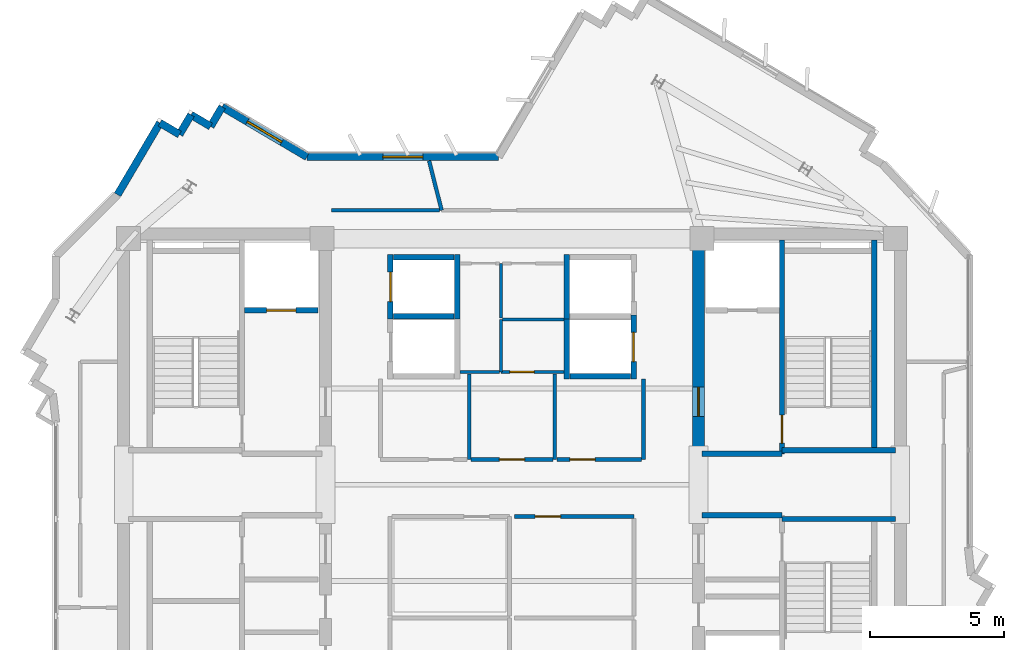
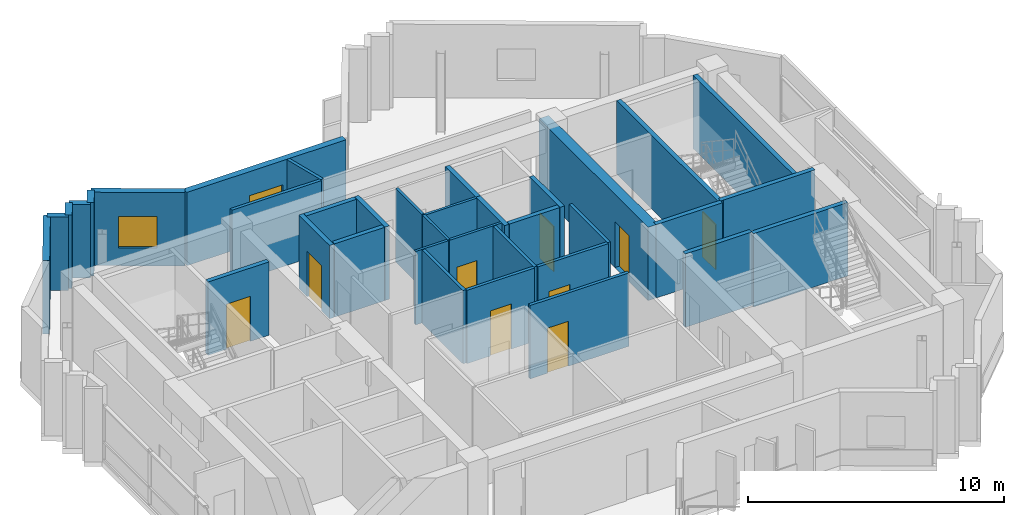
# One storey, part 6 of 10: 36 walls, 9 doors, 2 windows, 11 openings.
"""IFC4 building model written with IfcOpenShell, lengths in metres."""

from ifc_helpers import new_model, si_unit, direction, frame, frame_2d, origin, place, context, subcontext, project, spatial, rectangle, extrude, source, transform, mapped, material, layer, layer_set, type_object, element, fill, save


model = new_model("IFC4")

# Units and contexts
model_context = context("Model", 3, precision=1e-05, world=origin(), true_north=direction((0.0, 1.0)))
body_context = subcontext(model_context, "Body", "Model", "MODEL_VIEW")
ifc_project = project(units=[si_unit("LENGTHUNIT", "METRE"), si_unit("AREAUNIT", "SQUARE_METRE"), si_unit("VOLUMEUNIT", "CUBIC_METRE"), si_unit("PLANEANGLEUNIT", "RADIAN"), si_unit("MASSUNIT", "GRAM", prefix="KILO")], contexts=[model_context])

# Site, building, storey
site_placement = place(None, origin())
site = spatial("IfcSite", under=ifc_project, at=site_placement, CompositionType="ELEMENT")
building_placement = place(site_placement, origin())
building = spatial("IfcBuilding", under=site, at=building_placement, Name="Zahravan Cultural Tower", CompositionType="ELEMENT")
storey_placement = place(building_placement, frame((0.0, 0.0, 349.800048828125)))
storey = spatial("IfcBuildingStorey", under=building, at=storey_placement, Name="L85", CompositionType="ELEMENT", Elevation=349.800048828125)

# Wall, opening, door
ifc_material_1 = material(Name="Concrete C50/60", Category="concrete")
ifc_layer_1 = layer(ifc_material_1, 0.449951171875)
ifc_layer_set_1 = layer_set([ifc_layer_1], Name="Concrete C50/60")
wall_type_1 = type_object("IfcWallType", Name="CW-SHEAR-450-C50", PredefinedType="SHEAR", material=ifc_layer_set_1)
wall_1_placement = place(storey_placement, frame((42.97509765625, 28.050048828125, 0.0), z_axis=(0.0, 0.0, 1.0), x_axis=(0.0, 1.0, 0.0)))
wall_1 = element("IfcWall", 1, at=wall_1_placement, inside=storey, type_object=wall_type_1, Name="L85 Core Shear Wall CW-E-WN-L85", PredefinedType="SHEAR", context=body_context, shape_type="SweptSolid", body=[
    extrude(rectangle(XDim=8.550048828125, YDim=0.449951171875, at=frame_2d((4.27490234375, 0.0))), origin(), (0.0, 0.0, 1.0), 3.5),
])
opening_1_placement = place(wall_1_placement, frame((1.5, 0.0, 0.0)))
opening_1 = element("IfcOpeningElement", 2, at=opening_1_placement, cuts=wall_1, Name="Opening D-L85-07", PredefinedType="OPENING", context=body_context, shape_type="SweptSolid", body=[
    extrude(rectangle(XDim=1.10009765625, YDim=2.199951171875, at=frame_2d((0.550048828125, 1.10009765625))), frame((0.0, 0.23486328125, 0.0), z_axis=(0.0, -1.0, 0.0), x_axis=(1.0, 0.0, 0.0)), (0.0, 0.0, 1.0), 0.469970703125),
])
ifc_material_2 = material(Name="Steel ASTM A572 Grade 50", Category="steel")
door_type_1 = type_object("IfcDoorType", Name="DR-LOBBY-1100", OperationType="NOTDEFINED", PredefinedType="DOOR", material=ifc_material_2)
shared_shape_1 = source(origin(), body_context, "Body", "SweptSolid", [
    extrude(rectangle(XDim=1.10009765625, YDim=2.199951171875, at=frame_2d((0.550048828125, 1.10009765625))), frame((0.0, 0.02490234375, 0.0), z_axis=(0.0, -1.0, 0.0), x_axis=(1.0, 0.0, 0.0)), (0.0, 0.0, 1.0), 0.050048828125),
])
door_1_placement = place(opening_1_placement, origin())
door_1 = element("IfcDoor", 3, at=door_1_placement, inside=storey, type_object=door_type_1, Name="L85 Door D-L85-07", OperationType="SINGLE_SWING_RIGHT", OverallHeight=2.199951171875, OverallWidth=1.10009765625, PredefinedType="DOOR", context=body_context, shape_type="MappedRepresentation", body=[
    mapped(shared_shape_1, transform((0.0, 0.0, 0.0), x_axis=(1.0, 0.0, 0.0), y_axis=(0.0, 1.0, 0.0), z_axis=(0.0, 0.0, 1.0), scale=1.0)),
])
fill(opening_1, door_1)

# Wall, opening, window
ifc_material_3 = material(Name="Precast concrete C40/50", Category="concrete")
ifc_layer_2 = layer(ifc_material_3, 0.280029296875)
ifc_layer_set_2 = layer_set([ifc_layer_2], Name="Precast concrete C40/50")
wall_type_2 = type_object("IfcWallType", Name="EW-TC-280", PredefinedType="SOLIDWALL", material=ifc_layer_set_2)
wall_2_placement = place(storey_placement, frame((25.158447265625, 41.132568359375, 0.0), z_axis=(0.0, 0.0, 1.0), x_axis=(0.861166561994, -0.508322882137, 0.0)))
wall_2 = element("IfcWall", 4, at=wall_2_placement, inside=storey, type_object=wall_type_2, Name="L85 Exterior Masonry Frame Wall 45", PredefinedType="SOLIDWALL", context=body_context, shape_type="SweptSolid", body=[
    extrude(rectangle(XDim=3.683837890625, YDim=0.280029296875, at=frame_2d((1.841796875, 0.0))), origin(), (0.0, 0.0, 1.0), 3.5),
])
opening_2_placement = place(wall_2_placement, frame((1.092041015625, 0.0, 0.85009765625)))
opening_2 = element("IfcOpeningElement", 5, at=opening_2_placement, cuts=wall_2, Name="Opening WN-03", PredefinedType="OPENING", context=body_context, shape_type="SweptSolid", body=[
    extrude(rectangle(XDim=1.5, YDim=1.5, at=frame_2d((0.75, 0.75))), frame((0.0, 0.14990234375, 0.0), z_axis=(0.0, -1.0, 0.0), x_axis=(1.0, 0.0, 0.0)), (0.0, 0.0, 1.0), 0.300048828125),
])
ifc_material_4 = material(Name="Low-E solar-control double glazing", Category="glass")
window_type = type_object("IfcWindowType", Name="WN-REC-1500X1500", PartitioningType="SINGLE_PANEL", PredefinedType="WINDOW", material=ifc_material_4)
shared_shape_2 = source(origin(), body_context, "Body", "SweptSolid", [
    extrude(rectangle(XDim=1.5, YDim=1.5, at=frame_2d((0.75, 0.75))), frame((0.0, 0.030029296875, 0.0), z_axis=(0.0, -1.0, 0.0), x_axis=(1.0, 0.0, 0.0)), (0.0, 0.0, 1.0), 0.06005859375),
])
window_1_placement = place(opening_2_placement, origin())
window_1 = element("IfcWindow", 6, at=window_1_placement, inside=storey, type_object=window_type, Name="L85 Recessed Solar Window 07", OverallHeight=1.5, OverallWidth=1.5, PartitioningType="SINGLE_PANEL", PredefinedType="WINDOW", context=body_context, shape_type="MappedRepresentation", body=[
    mapped(shared_shape_2, transform((0.0, 0.0, 0.0), x_axis=(1.0, 0.0, 0.0), y_axis=(0.0, 1.0, 0.0), z_axis=(0.0, 0.0, 1.0), scale=1.0)),
])
fill(opening_2, window_1)

wall_3_placement = place(storey_placement, frame((28.330810546875, 39.260009765625, 0.0), z_axis=(0.0, 0.0, 1.0), x_axis=(1.0, 0.0, 0.0)))
wall_3 = element("IfcWall", 7, at=wall_3_placement, inside=storey, type_object=wall_type_2, Name="L85 Exterior Masonry Frame Wall 46", PredefinedType="SOLIDWALL", context=body_context, shape_type="SweptSolid", body=[
    extrude(rectangle(XDim=7.171875, YDim=0.280029296875, at=frame_2d((3.5859375, 0.0))), origin(), (0.0, 0.0, 1.0), 3.5),
])
opening_3_placement = place(wall_3_placement, frame((2.8359375, 0.0, 0.85009765625)))
opening_3 = element("IfcOpeningElement", 8, at=opening_3_placement, cuts=wall_3, Name="Opening WN-03", PredefinedType="OPENING", context=body_context, shape_type="SweptSolid", body=[
    extrude(rectangle(XDim=1.5, YDim=1.5, at=frame_2d((0.75, 0.75))), frame((0.0, 0.14990234375, 0.0), z_axis=(0.0, -1.0, 0.0), x_axis=(1.0, 0.0, 0.0)), (0.0, 0.0, 1.0), 0.300048828125),
])
window_2_placement = place(opening_3_placement, origin())
window_2 = element("IfcWindow", 9, at=window_2_placement, inside=storey, type_object=window_type, Name="L85 Recessed Solar Window 08", OverallHeight=1.5, OverallWidth=1.5, PartitioningType="SINGLE_PANEL", PredefinedType="WINDOW", context=body_context, shape_type="MappedRepresentation", body=[
    mapped(shared_shape_2, transform((0.0, 0.0, 0.0), x_axis=(1.0, 0.0, 0.0), y_axis=(0.0, 1.0, 0.0), z_axis=(0.0, 0.0, 1.0), scale=1.0)),
])
fill(opening_3, window_2)

# Wall, opening, door
ifc_material_5 = material(Name="Gypsum plasterboard partition")
ifc_layer_3 = layer(ifc_material_5, 0.139892578125)
ifc_layer_set_3 = layer_set([ifc_layer_3], Name="Gypsum plasterboard partition")
wall_type_3 = type_object("IfcWallType", Name="W-PART-140", PredefinedType="PARTITIONING", material=ifc_layer_set_3)
wall_4_placement = place(storey_placement, frame((37.52490234375, 27.93994140625, 0.0), z_axis=(0.0, 0.0, 1.0), x_axis=(-1.0, 0.0, 0.0)))
wall_4 = element("IfcWall", 10, at=wall_4_placement, inside=storey, type_object=wall_type_3, Name="L85 Interior Wall 053", PredefinedType="PARTITIONING", context=body_context, shape_type="SweptSolid", body=[
    extrude(rectangle(XDim=3.0498046875, YDim=0.139892578125, at=frame_2d((1.52490234375, 0.0))), origin(), (0.0, 0.0, 1.0), 3.5),
])
opening_4_placement = place(wall_4_placement, frame((1.050048828125, 0.0, 0.0)))
opening_4 = element("IfcOpeningElement", 11, at=opening_4_placement, cuts=wall_4, Name="Opening D-L85-21", PredefinedType="OPENING", context=body_context, shape_type="SweptSolid", body=[
    extrude(rectangle(XDim=0.949951171875, YDim=2.14990234375, at=frame_2d((0.47509765625, 1.074951171875))), frame((0.0, 0.079833984375, 0.0), z_axis=(0.0, -1.0, 0.0), x_axis=(1.0, 0.0, 0.0)), (0.0, 0.0, 1.0), 0.159912109375),
])
ifc_material_6 = material(Name="Anodised bronze-aluminium mullion", Category="aluminium")
door_type_2 = type_object("IfcDoorType", Name="DR-ROOM-950", OperationType="NOTDEFINED", PredefinedType="DOOR", material=ifc_material_6)
shared_shape_3 = source(origin(), body_context, "Body", "SweptSolid", [
    extrude(rectangle(XDim=0.949951171875, YDim=2.14990234375, at=frame_2d((0.47509765625, 1.074951171875))), frame((0.0, 0.02490234375, 0.0), z_axis=(0.0, -1.0, 0.0), x_axis=(1.0, 0.0, 0.0)), (0.0, 0.0, 1.0), 0.050048828125),
])
door_2_placement = place(opening_4_placement, origin())
door_2 = element("IfcDoor", 12, at=door_2_placement, inside=storey, type_object=door_type_2, Name="L85 Door D-L85-21", OperationType="SINGLE_SWING_RIGHT", OverallHeight=2.14990234375, OverallWidth=0.949951171875, PredefinedType="DOOR", context=body_context, shape_type="MappedRepresentation", body=[
    mapped(shared_shape_3, transform((0.0, 0.0, 0.0), x_axis=(1.0, 0.0, 0.0), y_axis=(0.0, 1.0, 0.0), z_axis=(0.0, 0.0, 1.0), scale=1.0)),
])
fill(opening_4, door_2)

wall_5_placement = place(storey_placement, frame((40.844970703125, 27.93994140625, 0.0), z_axis=(0.0, 0.0, 1.0), x_axis=(-1.0, 0.0, 0.0)))
wall_5 = element("IfcWall", 13, at=wall_5_placement, inside=storey, type_object=wall_type_3, Name="L85 Interior Wall 057", PredefinedType="PARTITIONING", context=body_context, shape_type="SweptSolid", body=[
    extrude(rectangle(XDim=3.169921875, YDim=0.139892578125, at=frame_2d((1.5849609375, 0.0))), origin(), (0.0, 0.0, 1.0), 3.5),
])
opening_5_placement = place(wall_5_placement, frame((1.731689453125, 0.0, 0.0)))
opening_5 = element("IfcOpeningElement", 14, at=opening_5_placement, cuts=wall_5, Name="Opening D-L85-22", PredefinedType="OPENING", context=body_context, shape_type="SweptSolid", body=[
    extrude(rectangle(XDim=0.949951171875, YDim=2.14990234375, at=frame_2d((0.47509765625, 1.074951171875))), frame((0.0, 0.079833984375, 0.0), z_axis=(0.0, -1.0, 0.0), x_axis=(1.0, 0.0, 0.0)), (0.0, 0.0, 1.0), 0.159912109375),
])
door_3_placement = place(opening_5_placement, origin())
door_3 = element("IfcDoor", 15, at=door_3_placement, inside=storey, type_object=door_type_2, Name="L85 Door D-L85-22", OperationType="SINGLE_SWING_LEFT", OverallHeight=2.14990234375, OverallWidth=0.949951171875, PredefinedType="DOOR", context=body_context, shape_type="MappedRepresentation", body=[
    mapped(shared_shape_3, transform((0.0, 0.0, 0.0), x_axis=(1.0, 0.0, 0.0), y_axis=(0.0, 1.0, 0.0), z_axis=(0.0, 0.0, 1.0), scale=1.0)),
])
fill(opening_5, door_3)

wall_6_placement = place(storey_placement, frame((36.090087890625, 25.81005859375, 0.0), z_axis=(0.0, 0.0, 1.0), x_axis=(1.0, 0.0, 0.0)))
wall_6 = element("IfcWall", 16, at=wall_6_placement, inside=storey, type_object=wall_type_3, Name="L85 Interior Wall 068", PredefinedType="PARTITIONING", context=body_context, shape_type="SweptSolid", body=[
    extrude(rectangle(XDim=4.469970703125, YDim=0.139892578125, at=frame_2d((2.23486328125, 0.0))), origin(), (0.0, 0.0, 1.0), 3.5),
])
opening_6_placement = place(wall_6_placement, frame((0.7744140625, 0.0, 0.0)))
opening_6 = element("IfcOpeningElement", 17, at=opening_6_placement, cuts=wall_6, Name="Opening D-L85-17", PredefinedType="OPENING", context=body_context, shape_type="SweptSolid", body=[
    extrude(rectangle(XDim=0.949951171875, YDim=2.14990234375, at=frame_2d((0.47509765625, 1.074951171875))), frame((0.0, 0.079833984375, 0.0), z_axis=(0.0, -1.0, 0.0), x_axis=(1.0, 0.0, 0.0)), (0.0, 0.0, 1.0), 0.159912109375),
])
door_4_placement = place(opening_6_placement, origin())
door_4 = element("IfcDoor", 18, at=door_4_placement, inside=storey, type_object=door_type_2, Name="L85 Door D-L85-17", OperationType="SINGLE_SWING_RIGHT", OverallHeight=2.14990234375, OverallWidth=0.949951171875, PredefinedType="DOOR", context=body_context, shape_type="MappedRepresentation", body=[
    mapped(shared_shape_3, transform((0.0, 0.0, 0.0), x_axis=(1.0, 0.0, 0.0), y_axis=(0.0, 1.0, 0.0), z_axis=(0.0, 0.0, 1.0), scale=1.0)),
])
fill(opening_6, door_4)

ifc_material_7 = material(Name="Concrete C45/55", Category="concrete")
ifc_layer_4 = layer(ifc_material_7, 0.199951171875)
ifc_layer_set_4 = layer_set([ifc_layer_4], Name="Concrete C45/55")
wall_type_4 = type_object("IfcWallType", Name="W-SHAFT-200", PredefinedType="SOLIDWALL", material=ifc_layer_set_4)
wall_7_placement = place(storey_placement, frame((46.10009765625, 28.14990234375, 0.0), z_axis=(0.0, 0.0, 1.0), x_axis=(0.0, 1.0, 0.0)))
wall_7 = element("IfcWall", 19, at=wall_7_placement, inside=storey, type_object=wall_type_4, Name="L85 Interior Wall 008", PredefinedType="SOLIDWALL", context=body_context, shape_type="SweptSolid", body=[
    extrude(rectangle(XDim=8.0, YDim=0.199951171875, at=frame_2d((4.0, 0.0))), origin(), (0.0, 0.0, 1.0), 3.5),
])
opening_7_placement = place(wall_7_placement, frame((0.39990234375, 0.0, 0.0)))
opening_7 = element("IfcOpeningElement", 20, at=opening_7_placement, cuts=wall_7, Name="Opening D-L85-02", PredefinedType="OPENING", context=body_context, shape_type="SweptSolid", body=[
    extrude(rectangle(XDim=1.050048828125, YDim=2.14990234375, at=frame_2d((0.52490234375, 1.074951171875))), frame((0.0, 0.10986328125, 0.0), z_axis=(0.0, -1.0, 0.0), x_axis=(1.0, 0.0, 0.0)), (0.0, 0.0, 1.0), 0.219970703125),
])
door_type_3 = type_object("IfcDoorType", Name="DR-STAIR-1050", OperationType="NOTDEFINED", PredefinedType="DOOR", material=ifc_material_2)
shared_shape_4 = source(origin(), body_context, "Body", "SweptSolid", [
    extrude(rectangle(XDim=1.050048828125, YDim=2.14990234375, at=frame_2d((0.52490234375, 1.074951171875))), frame((0.0, 0.02490234375, 0.0), z_axis=(0.0, -1.0, 0.0), x_axis=(1.0, 0.0, 0.0)), (0.0, 0.0, 1.0), 0.050048828125),
])
door_5_placement = place(opening_7_placement, origin())
door_5 = element("IfcDoor", 21, at=door_5_placement, inside=storey, type_object=door_type_3, Name="L85 Door D-L85-02", OperationType="SINGLE_SWING_LEFT", OverallHeight=2.14990234375, OverallWidth=1.050048828125, PredefinedType="DOOR", context=body_context, shape_type="MappedRepresentation", body=[
    mapped(shared_shape_4, transform((0.0, 0.0, 0.0), x_axis=(1.0, 0.0, 0.0), y_axis=(0.0, 1.0, 0.0), z_axis=(0.0, 0.0, 1.0), scale=1.0)),
])
fill(opening_7, door_5)

wall_8_placement = place(storey_placement, frame((26.0, 33.52001953125, 0.0), z_axis=(0.0, 0.0, 1.0), x_axis=(1.0, 0.0, 0.0)))
wall_8 = element("IfcWall", 22, at=wall_8_placement, inside=storey, type_object=wall_type_4, Name="L85 Interior Wall 022", PredefinedType="SOLIDWALL", context=body_context, shape_type="SweptSolid", body=[
    extrude(rectangle(XDim=2.75, YDim=0.199951171875, at=frame_2d((1.375, 0.0))), origin(), (0.0, 0.0, 1.0), 3.5),
])
opening_8_placement = place(wall_8_placement, frame((0.820068359375, 0.0, 0.0)))
opening_8 = element("IfcOpeningElement", 23, at=opening_8_placement, cuts=wall_8, Name="Opening LD-L85-01", PredefinedType="OPENING", context=body_context, shape_type="SweptSolid", body=[
    extrude(rectangle(XDim=1.10009765625, YDim=2.14990234375, at=frame_2d((0.550048828125, 1.074951171875))), frame((0.0, 0.10986328125, 0.0), z_axis=(0.0, -1.0, 0.0), x_axis=(1.0, 0.0, 0.0)), (0.0, 0.0, 1.0), 0.219970703125),
])
door_type_4 = type_object("IfcDoorType", Name="DR-LIFT-1100", OperationType="DOUBLE_DOOR_SLIDING", PredefinedType="DOOR", material=ifc_material_2)
shared_shape_5 = source(origin(), body_context, "Body", "SweptSolid", [
    extrude(rectangle(XDim=1.10009765625, YDim=2.14990234375, at=frame_2d((0.550048828125, 1.074951171875))), frame((0.0, 0.02490234375, 0.0), z_axis=(0.0, -1.0, 0.0), x_axis=(1.0, 0.0, 0.0)), (0.0, 0.0, 1.0), 0.050048828125),
])
door_6_placement = place(opening_8_placement, origin())
door_6 = element("IfcDoor", 24, at=door_6_placement, inside=storey, type_object=door_type_4, Name="L85 Door LD-L85-01", OperationType="DOUBLE_DOOR_SLIDING", OverallHeight=2.14990234375, OverallWidth=1.10009765625, PredefinedType="DOOR", context=body_context, shape_type="MappedRepresentation", body=[
    mapped(shared_shape_5, transform((0.0, 0.0, 0.0), x_axis=(1.0, 0.0, 0.0), y_axis=(0.0, 1.0, 0.0), z_axis=(0.0, 0.0, 1.0), scale=1.0)),
])
fill(opening_8, door_6)

wall_9_placement = place(storey_placement, frame((31.449951171875, 33.199951171875, 0.0), z_axis=(0.0, 0.0, 1.0), x_axis=(0.0, 1.0, 0.0)))
wall_9 = element("IfcWall", 25, at=wall_9_placement, inside=storey, type_object=wall_type_4, Name="L85 Interior Wall 030", PredefinedType="SOLIDWALL", context=body_context, shape_type="SweptSolid", body=[
    extrude(rectangle(XDim=2.400146484375, YDim=0.199951171875, at=frame_2d((1.2001953125, 0.0))), origin(), (0.0, 0.0, 1.0), 3.5),
])
opening_9_placement = place(wall_9_placement, frame((0.64990234375, 0.0, 0.0)))
opening_9 = element("IfcOpeningElement", 26, at=opening_9_placement, cuts=wall_9, Name="Opening LD-L85-04", PredefinedType="OPENING", context=body_context, shape_type="SweptSolid", body=[
    extrude(rectangle(XDim=1.10009765625, YDim=2.14990234375, at=frame_2d((0.550048828125, 1.074951171875))), frame((0.0, 0.10986328125, 0.0), z_axis=(0.0, -1.0, 0.0), x_axis=(1.0, 0.0, 0.0)), (0.0, 0.0, 1.0), 0.219970703125),
])
door_7_placement = place(opening_9_placement, origin())
door_7 = element("IfcDoor", 27, at=door_7_placement, inside=storey, type_object=door_type_4, Name="L85 Door LD-L85-04", OperationType="DOUBLE_DOOR_SLIDING", OverallHeight=2.14990234375, OverallWidth=1.10009765625, PredefinedType="DOOR", context=body_context, shape_type="MappedRepresentation", body=[
    mapped(shared_shape_5, transform((0.0, 0.0, 0.0), x_axis=(1.0, 0.0, 0.0), y_axis=(0.0, 1.0, 0.0), z_axis=(0.0, 0.0, 1.0), scale=1.0)),
])
fill(opening_9, door_7)

wall_10_placement = place(storey_placement, frame((40.550048828125, 30.949951171875, 0.0), z_axis=(0.0, 0.0, 1.0), x_axis=(0.0, 1.0, 0.0)))
wall_10 = element("IfcWall", 28, at=wall_10_placement, inside=storey, type_object=wall_type_4, Name="L85 Interior Wall 042", PredefinedType="SOLIDWALL", context=body_context, shape_type="SweptSolid", body=[
    extrude(rectangle(XDim=2.400146484375, YDim=0.199951171875, at=frame_2d((1.2001953125, 0.0))), origin(), (0.0, 0.0, 1.0), 3.5),
])
opening_10_placement = place(wall_10_placement, frame((0.64990234375, 0.0, 0.0)))
opening_10 = element("IfcOpeningElement", 29, at=opening_10_placement, cuts=wall_10, Name="Opening LD-L85-07", PredefinedType="OPENING", context=body_context, shape_type="SweptSolid", body=[
    extrude(rectangle(XDim=1.10009765625, YDim=2.14990234375, at=frame_2d((0.550048828125, 1.074951171875))), frame((0.0, 0.10986328125, 0.0), z_axis=(0.0, -1.0, 0.0), x_axis=(1.0, 0.0, 0.0)), (0.0, 0.0, 1.0), 0.219970703125),
])
door_8_placement = place(opening_10_placement, origin())
door_8 = element("IfcDoor", 30, at=door_8_placement, inside=storey, type_object=door_type_4, Name="L85 Door LD-L85-07", OperationType="DOUBLE_DOOR_SLIDING", OverallHeight=2.14990234375, OverallWidth=1.10009765625, PredefinedType="DOOR", context=body_context, shape_type="MappedRepresentation", body=[
    mapped(shared_shape_5, transform((0.0, 0.0, 0.0), x_axis=(1.0, 0.0, 0.0), y_axis=(0.0, 1.0, 0.0), z_axis=(0.0, 0.0, 1.0), scale=1.0)),
])
fill(opening_10, door_8)

ifc_layer_5 = layer(ifc_material_5, 0.114990234375)
ifc_layer_set_5 = layer_set([ifc_layer_5], Name="Gypsum plasterboard partition")
wall_type_5 = type_object("IfcWallType", Name="W-WC-115", PredefinedType="PARTITIONING", material=ifc_layer_set_5)
wall_11_placement = place(storey_placement, frame((37.945068359375, 31.219970703125, 0.0), z_axis=(0.0, 0.0, 1.0), x_axis=(-1.0, 0.0, 0.0)))
wall_11 = element("IfcWall", 31, at=wall_11_placement, inside=storey, type_object=wall_type_5, Name="L85 Interior Wall 044", PredefinedType="PARTITIONING", context=body_context, shape_type="SweptSolid", body=[
    extrude(rectangle(XDim=2.35498046875, YDim=0.114990234375, at=frame_2d((1.177490234375, 0.0))), origin(), (0.0, 0.0, 1.0), 3.5),
])
opening_11_placement = place(wall_11_placement, frame((1.120849609375, 0.0, 0.0)))
opening_11 = element("IfcOpeningElement", 32, at=opening_11_placement, cuts=wall_11, Name="Opening D-L85-29", PredefinedType="OPENING", context=body_context, shape_type="SweptSolid", body=[
    extrude(rectangle(XDim=0.89990234375, YDim=2.10009765625, at=frame_2d((0.449951171875, 1.050048828125))), frame((0.0, 0.0673828125, 0.0), z_axis=(0.0, -1.0, 0.0), x_axis=(1.0, 0.0, 0.0)), (0.0, 0.0, 1.0), 0.135009765625),
])
door_type_5 = type_object("IfcDoorType", Name="DR-WC-900", OperationType="NOTDEFINED", PredefinedType="DOOR", material=ifc_material_6)
shared_shape_6 = source(origin(), body_context, "Body", "SweptSolid", [
    extrude(rectangle(XDim=0.89990234375, YDim=2.10009765625, at=frame_2d((0.449951171875, 1.050048828125))), frame((0.0, 0.02490234375, 0.0), z_axis=(0.0, -1.0, 0.0), x_axis=(1.0, 0.0, 0.0)), (0.0, 0.0, 1.0), 0.050048828125),
])
door_9_placement = place(opening_11_placement, origin())
door_9 = element("IfcDoor", 33, at=door_9_placement, inside=storey, type_object=door_type_5, Name="L85 Door D-L85-29", OperationType="SINGLE_SWING_RIGHT", OverallHeight=2.10009765625, OverallWidth=0.89990234375, PredefinedType="DOOR", context=body_context, shape_type="MappedRepresentation", body=[
    mapped(shared_shape_6, transform((0.0, 0.0, 0.0), x_axis=(1.0, 0.0, 0.0), y_axis=(0.0, 1.0, 0.0), z_axis=(0.0, 0.0, 1.0), scale=1.0)),
])
fill(opening_11, door_9)

# Walls
shared_shape_7 = source(origin(), body_context, "Body", "SweptSolid", [
    extrude(rectangle(XDim=0.85009765625, YDim=0.280029296875, at=frame_2d((0.425048828125, 0.0))), origin(), (0.0, 0.0, 1.0), 3.5),
])
for number, where, z_axis, x_axis, name in (
    (34, (22.830322265625, 40.53271484375, 0.0), (0.0, 0.0, 1.0), (0.861120885632, -0.508400256027, 0.0), "L85 Exterior Masonry Frame Wall 41"),
    (35, (23.562255859375, 40.1005859375, 0.0), (0.0, 0.0, 1.0), (0.508400256027, 0.861120885632, 0.0), "L85 Exterior Masonry Frame Wall 42"),
    (36, (23.994384765625, 40.83251953125, 0.0), (0.0, 0.0, 1.0), (0.861120885632, -0.508400256027, 0.0), "L85 Exterior Masonry Frame Wall 43"),
    (37, (24.726318359375, 40.400390625, 0.0), (0.0, 0.0, 1.0), (0.508274533332, 0.861195099131, 0.0), "L85 Exterior Masonry Frame Wall 44"),
):
    element("IfcWall", number, at=place(storey_placement, frame(where, z_axis=z_axis, x_axis=x_axis)), inside=storey, type_object=wall_type_2, Name=name, PredefinedType="SOLIDWALL", context=body_context, shape_type="MappedRepresentation", body=[
        mapped(shared_shape_7, transform((0.0, 0.0, 0.0), x_axis=(1.0, 0.0, 0.0), y_axis=(0.0, 1.0, 0.0), z_axis=(0.0, 0.0, 1.0), scale=1.0)),
    ])
shared_shape_8 = source(origin(), body_context, "Body", "SweptSolid", [
    extrude(rectangle(XDim=3.117919921875, YDim=0.280029296875, at=frame_2d((1.55908203125, 0.0))), origin(), (0.0, 0.0, 1.0), 3.5),
])
wall_12_placement = place(storey_placement, frame((21.24560546875, 37.84765625, 0.0), z_axis=(0.0, 0.0, 1.0), x_axis=(0.508275482209, 0.861194539106, 0.0)))
element("IfcWall", 38, at=wall_12_placement, inside=storey, type_object=wall_type_2, Name="L85 Exterior Masonry Frame Wall 40", PredefinedType="SOLIDWALL", context=body_context, shape_type="MappedRepresentation", body=[
    mapped(shared_shape_8, transform((0.0, 0.0, 0.0), x_axis=(1.0, 0.0, 0.0), y_axis=(0.0, 1.0, 0.0), z_axis=(0.0, 0.0, 1.0), scale=1.0)),
])
shared_shape_9 = source(origin(), body_context, "Body", "SweptSolid", [
    extrude(rectangle(XDim=7.869873046875, YDim=0.199951171875, at=frame_2d((3.93505859375, 0.0))), origin(), (0.0, 0.0, 1.0), 3.5),
])
wall_13_placement = place(storey_placement, frame((49.550048828125, 28.280029296875, 0.0), z_axis=(0.0, 0.0, 1.0), x_axis=(0.0, 1.0, 0.0)))
element("IfcWall", 39, at=wall_13_placement, inside=storey, type_object=wall_type_4, Name="L85 Interior Wall 004", PredefinedType="SOLIDWALL", context=body_context, shape_type="MappedRepresentation", body=[
    mapped(shared_shape_9, transform((0.0, 0.0, 0.0), x_axis=(1.0, 0.0, 0.0), y_axis=(0.0, 1.0, 0.0), z_axis=(0.0, 0.0, 1.0), scale=1.0)),
])
shared_shape_10 = source(origin(), body_context, "Body", "SweptSolid", [
    extrude(rectangle(XDim=4.25, YDim=0.199951171875, at=frame_2d((2.125, 0.0))), origin(), (0.0, 0.0, 1.0), 3.5),
])
for number, where, z_axis, x_axis, name in (
    (40, (46.10009765625, 25.715087890625, 0.0), (0.0, 0.0, 1.0), (1.0, 0.0, 0.0), "L85 Interior Wall 014"),
    (41, (46.10009765625, 28.284912109375, 0.0), (0.0, 0.0, 1.0), (1.0, 0.0, 0.0), "L85 Interior Wall 016"),
):
    element("IfcWall", number, at=place(storey_placement, frame(where, z_axis=z_axis, x_axis=x_axis)), inside=storey, type_object=wall_type_4, Name=name, PredefinedType="SOLIDWALL", context=body_context, shape_type="MappedRepresentation", body=[
        mapped(shared_shape_10, transform((0.0, 0.0, 0.0), x_axis=(1.0, 0.0, 0.0), y_axis=(0.0, 1.0, 0.0), z_axis=(0.0, 0.0, 1.0), scale=1.0)),
    ])
shared_shape_11 = source(origin(), body_context, "Body", "SweptSolid", [
    extrude(rectangle(XDim=3.0, YDim=0.199951171875, at=frame_2d((1.5, 0.0))), origin(), (0.0, 0.0, 1.0), 3.5),
])
for number, where, z_axis, x_axis, name in (
    (42, (43.10009765625, 25.85009765625, 0.0), (0.0, 0.0, 1.0), (1.0, 0.0, 0.0), "L85 Interior Wall 013"),
    (43, (43.10009765625, 28.14990234375, 0.0), (0.0, 0.0, 1.0), (1.0, 0.0, 0.0), "L85 Interior Wall 015"),
):
    element("IfcWall", number, at=place(storey_placement, frame(where, z_axis=z_axis, x_axis=x_axis)), inside=storey, type_object=wall_type_4, Name=name, PredefinedType="SOLIDWALL", context=body_context, shape_type="MappedRepresentation", body=[
        mapped(shared_shape_11, transform((0.0, 0.0, 0.0), x_axis=(1.0, 0.0, 0.0), y_axis=(0.0, 1.0, 0.0), z_axis=(0.0, 0.0, 1.0), scale=1.0)),
    ])
shared_shape_12 = source(origin(), body_context, "Body", "SweptSolid", [
    extrude(rectangle(XDim=2.400146484375, YDim=0.199951171875, at=frame_2d((1.2001953125, 0.0))), origin(), (0.0, 0.0, 1.0), 3.5),
])
for number, where, z_axis, x_axis, name in (
    (44, (33.949951171875, 33.199951171875, 0.0), (0.0, 0.0, 1.0), (0.0, 1.0, 0.0), "L85 Interior Wall 031"),
    (45, (38.050048828125, 33.199951171875, 0.0), (0.0, 0.0, 1.0), (0.0, 1.0, 0.0), "L85 Interior Wall 037"),
    (46, (38.050048828125, 30.949951171875, 0.0), (0.0, 0.0, 1.0), (0.0, 1.0, 0.0), "L85 Interior Wall 041"),
):
    element("IfcWall", number, at=place(storey_placement, frame(where, z_axis=z_axis, x_axis=x_axis)), inside=storey, type_object=wall_type_4, Name=name, PredefinedType="SOLIDWALL", context=body_context, shape_type="MappedRepresentation", body=[
        mapped(shared_shape_12, transform((0.0, 0.0, 0.0), x_axis=(1.0, 0.0, 0.0), y_axis=(0.0, 1.0, 0.0), z_axis=(0.0, 0.0, 1.0), scale=1.0)),
    ])
shared_shape_13 = source(origin(), body_context, "Body", "SweptSolid", [
    extrude(rectangle(XDim=2.260009765625, YDim=0.199951171875, at=frame_2d((1.1298828125, 0.0))), origin(), (0.0, 0.0, 1.0), 3.5),
])
for number, where, z_axis, x_axis, name in (
    (47, (31.570068359375, 33.300048828125, 0.0), (0.0, 0.0, 1.0), (1.0, 0.0, 0.0), "L85 Interior Wall 032"),
    (48, (31.570068359375, 35.5, 0.0), (0.0, 0.0, 1.0), (1.0, 0.0, 0.0), "L85 Interior Wall 033"),
    (49, (38.169921875, 31.050048828125, 0.0), (0.0, 0.0, 1.0), (1.0, 0.0, 0.0), "L85 Interior Wall 043"),
):
    element("IfcWall", number, at=place(storey_placement, frame(where, z_axis=z_axis, x_axis=x_axis)), inside=storey, type_object=wall_type_4, Name=name, PredefinedType="SOLIDWALL", context=body_context, shape_type="MappedRepresentation", body=[
        mapped(shared_shape_13, transform((0.0, 0.0, 0.0), x_axis=(1.0, 0.0, 0.0), y_axis=(0.0, 1.0, 0.0), z_axis=(0.0, 0.0, 1.0), scale=1.0)),
    ])
shared_shape_14 = source(origin(), body_context, "Body", "SweptSolid", [
    extrude(rectangle(XDim=1.9599609375, YDim=0.114990234375, at=frame_2d((0.97998046875, 0.0))), origin(), (0.0, 0.0, 1.0), 3.5),
])
wall_14_placement = place(storey_placement, frame((35.590087890625, 31.219970703125, 0.0), z_axis=(0.0, 0.0, 1.0), x_axis=(0.0, 1.0, 0.0)))
element("IfcWall", 50, at=wall_14_placement, inside=storey, type_object=wall_type_5, Name="L85 Interior Wall 045", PredefinedType="PARTITIONING", context=body_context, shape_type="MappedRepresentation", body=[
    mapped(shared_shape_14, transform((0.0, 0.0, 0.0), x_axis=(1.0, 0.0, 0.0), y_axis=(0.0, 1.0, 0.0), z_axis=(0.0, 0.0, 1.0), scale=1.0)),
])
shared_shape_15 = source(origin(), body_context, "Body", "SweptSolid", [
    extrude(rectangle(XDim=2.29248046875, YDim=0.114990234375, at=frame_2d((1.146240234375, 0.0))), origin(), (0.0, 0.0, 1.0), 3.5),
])
wall_15_placement = place(storey_placement, frame((35.652587890625, 33.179931640625, 0.0), z_axis=(0.0, 0.0, 1.0), x_axis=(1.0, 0.0, 0.0)))
element("IfcWall", 51, at=wall_15_placement, inside=storey, type_object=wall_type_5, Name="L85 Interior Wall 046", PredefinedType="PARTITIONING", context=body_context, shape_type="MappedRepresentation", body=[
    mapped(shared_shape_15, transform((0.0, 0.0, 0.0), x_axis=(1.0, 0.0, 0.0), y_axis=(0.0, 1.0, 0.0), z_axis=(0.0, 0.0, 1.0), scale=1.0)),
])
shared_shape_16 = source(origin(), body_context, "Body", "SweptSolid", [
    extrude(rectangle(XDim=2.0400390625, YDim=0.114990234375, at=frame_2d((1.02001953125, 0.0))), origin(), (0.0, 0.0, 1.0), 3.5),
])
wall_16_placement = place(storey_placement, frame((35.590087890625, 33.239990234375, 0.0), z_axis=(0.0, 0.0, 1.0), x_axis=(0.0, 1.0, 0.0)))
element("IfcWall", 52, at=wall_16_placement, inside=storey, type_object=wall_type_5, Name="L85 Interior Wall 047", PredefinedType="PARTITIONING", context=body_context, shape_type="MappedRepresentation", body=[
    mapped(shared_shape_16, transform((0.0, 0.0, 0.0), x_axis=(1.0, 0.0, 0.0), y_axis=(0.0, 1.0, 0.0), z_axis=(0.0, 0.0, 1.0), scale=1.0)),
])
shared_shape_17 = source(origin(), body_context, "Body", "SweptSolid", [
    extrude(rectangle(XDim=1.47265625, YDim=0.114990234375, at=frame_2d((0.736328125, 0.0))), origin(), (0.0, 0.0, 1.0), 3.5),
])
wall_17_placement = place(storey_placement, frame((35.527587890625, 31.219970703125, 0.0), z_axis=(0.0, 0.0, 1.0), x_axis=(-1.0, 0.0, 0.0)))
element("IfcWall", 53, at=wall_17_placement, inside=storey, type_object=wall_type_5, Name="L85 Interior Wall 049", PredefinedType="PARTITIONING", context=body_context, shape_type="MappedRepresentation", body=[
    mapped(shared_shape_17, transform((0.0, 0.0, 0.0), x_axis=(1.0, 0.0, 0.0), y_axis=(0.0, 1.0, 0.0), z_axis=(0.0, 0.0, 1.0), scale=1.0)),
])
shared_shape_18 = source(origin(), body_context, "Body", "SweptSolid", [
    extrude(rectangle(XDim=3.010009765625, YDim=0.139892578125, at=frame_2d((1.5048828125, 0.0))), origin(), (0.0, 0.0, 1.0), 3.5),
])
wall_18_placement = place(storey_placement, frame((40.919921875, 30.949951171875, 0.0), z_axis=(0.0, 0.0, 1.0), x_axis=(0.0, -1.0, 0.0)))
element("IfcWall", 54, at=wall_18_placement, inside=storey, type_object=wall_type_3, Name="L85 Interior Wall 056", PredefinedType="PARTITIONING", context=body_context, shape_type="MappedRepresentation", body=[
    mapped(shared_shape_18, transform((0.0, 0.0, 0.0), x_axis=(1.0, 0.0, 0.0), y_axis=(0.0, 1.0, 0.0), z_axis=(0.0, 0.0, 1.0), scale=1.0)),
])
shared_shape_19 = source(origin(), body_context, "Body", "SweptSolid", [
    extrude(rectangle(XDim=3.199951171875, YDim=0.139892578125, at=frame_2d((1.60009765625, 0.0))), origin(), (0.0, 0.0, 1.0), 3.5),
])
for number, where, z_axis, x_axis, name in (
    (55, (34.39990234375, 27.93994140625, 0.0), (0.0, 0.0, 1.0), (0.0, 1.0, 0.0), "L85 Interior Wall 051"),
    (56, (37.60009765625, 31.139892578125, 0.0), (0.0, 0.0, 1.0), (0.0, -1.0, 0.0), "L85 Interior Wall 052"),
):
    element("IfcWall", number, at=place(storey_placement, frame(where, z_axis=z_axis, x_axis=x_axis)), inside=storey, type_object=wall_type_3, Name=name, PredefinedType="PARTITIONING", context=body_context, shape_type="MappedRepresentation", body=[
        mapped(shared_shape_19, transform((0.0, 0.0, 0.0), x_axis=(1.0, 0.0, 0.0), y_axis=(0.0, 1.0, 0.0), z_axis=(0.0, 0.0, 1.0), scale=1.0)),
    ])
shared_shape_20 = source(origin(), body_context, "Body", "SweptSolid", [
    extrude(rectangle(XDim=1.913330078125, YDim=0.139892578125, at=frame_2d((0.95654296875, 0.0))), origin(), (0.0, 0.0, 1.0), 3.5),
])
wall_19_placement = place(storey_placement, frame((32.8994140625, 39.114990234375, 0.0), z_axis=(0.0, 0.0, 1.0), x_axis=(0.244876872924, -0.969554184719, 0.0)))
element("IfcWall", 57, at=wall_19_placement, inside=storey, type_object=wall_type_3, Name="L85 Interior Wall 086", PredefinedType="PARTITIONING", context=body_context, shape_type="MappedRepresentation", body=[
    mapped(shared_shape_20, transform((0.0, 0.0, 0.0), x_axis=(1.0, 0.0, 0.0), y_axis=(0.0, 1.0, 0.0), z_axis=(0.0, 0.0, 1.0), scale=1.0)),
])
shared_shape_21 = source(origin(), body_context, "Body", "SweptSolid", [
    extrude(rectangle(XDim=4.036865234375, YDim=0.139892578125, at=frame_2d((2.0185546875, 0.0))), origin(), (0.0, 0.0, 1.0), 3.5),
])
wall_20_placement = place(storey_placement, frame((33.29052734375, 37.260009765625, 0.0), z_axis=(0.0, 0.0, 1.0), x_axis=(-0.999999992685, -0.000120955548, 0.0)))
element("IfcWall", 58, at=wall_20_placement, inside=storey, type_object=wall_type_3, Name="L85 Interior Wall 087", PredefinedType="PARTITIONING", context=body_context, shape_type="MappedRepresentation", body=[
    mapped(shared_shape_21, transform((0.0, 0.0, 0.0), x_axis=(1.0, 0.0, 0.0), y_axis=(0.0, 1.0, 0.0), z_axis=(0.0, 0.0, 1.0), scale=1.0)),
])

save(model, "model.ifc")
